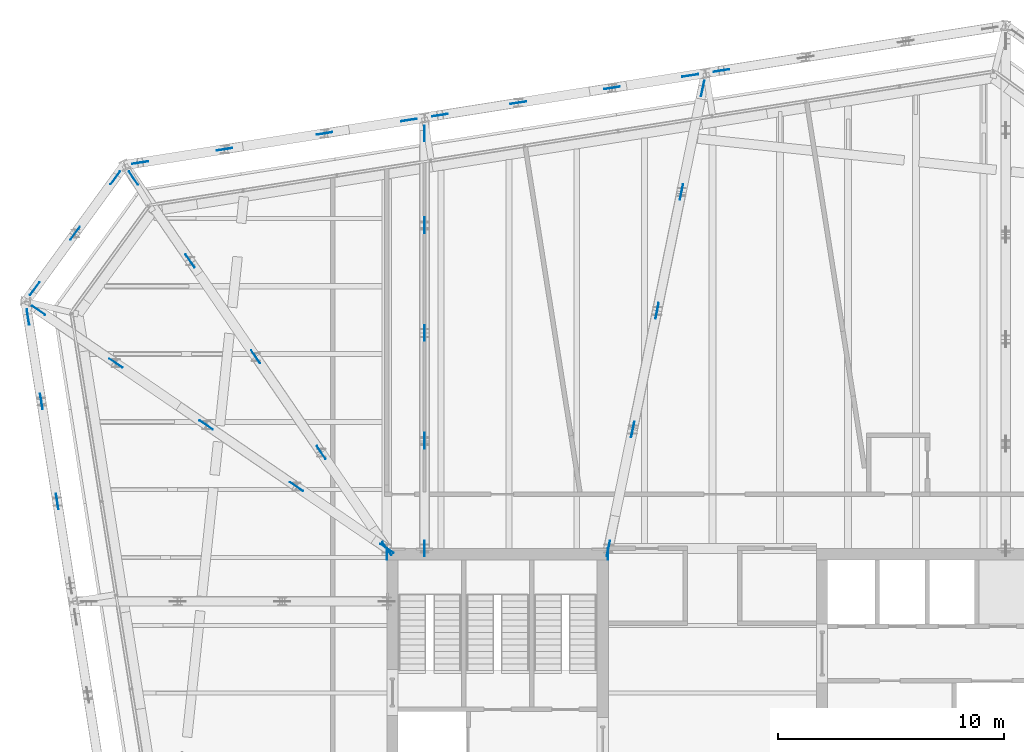
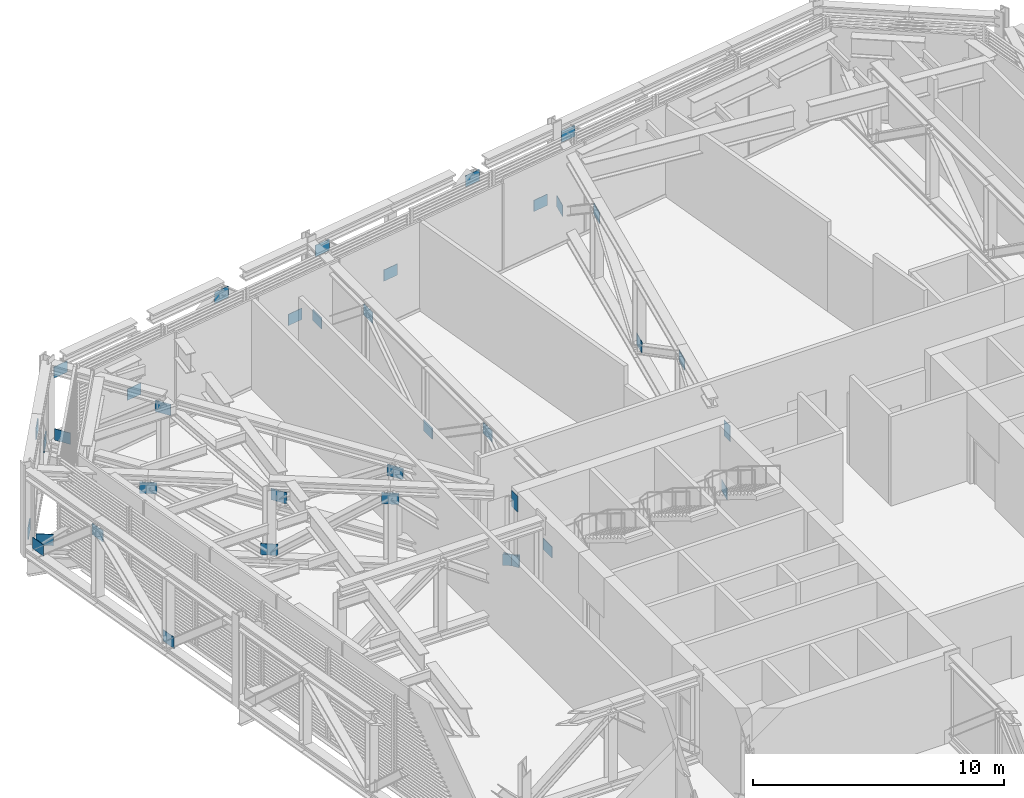
# One storey, part 29 of 32: 37 discrete accessories.
"""IFC4 building model written with IfcOpenShell, lengths in metres."""

from ifc_helpers import new_model, si_unit, direction, frame, origin, origin_2d, place, context, subcontext, project, spatial, rectangle, extrude, material, layer, layer_set, type_object, element, save


model = new_model("IFC4")

# Units and contexts
model_context = context("Model", 3, precision=1e-05, world=origin(), true_north=direction((0.0, 1.0)))
body_context = subcontext(model_context, "Body", "Model", "MODEL_VIEW")
ifc_project = project(units=[si_unit("LENGTHUNIT", "METRE"), si_unit("AREAUNIT", "SQUARE_METRE"), si_unit("VOLUMEUNIT", "CUBIC_METRE"), si_unit("PLANEANGLEUNIT", "RADIAN"), si_unit("MASSUNIT", "GRAM", prefix="KILO")], contexts=[model_context])

# Site, building, storey
site_placement = place(None, origin())
site = spatial("IfcSite", under=ifc_project, at=site_placement, CompositionType="ELEMENT")
building_placement = place(site_placement, origin())
building = spatial("IfcBuilding", under=site, at=building_placement, Name="Millrace Tower", CompositionType="ELEMENT")
storey_placement = place(building_placement, frame((0.0, 0.0, 266.89990234375)))
storey = spatial("IfcBuildingStorey", under=building, at=storey_placement, Name="L61", CompositionType="ELEMENT", Elevation=266.89990234375)

# Discrete accessories
ifc_material_1 = material(Name="Steel ASTM A572 Grade 50", Category="steel")
ifc_layer_1 = layer(ifc_material_1, 0.02490234375)
ifc_layer_set_1 = layer_set([ifc_layer_1], Name="Steel ASTM A572 Grade 50")
discrete_accessory_type_1 = type_object("IfcDiscreteAccessoryType", Name="Cast-in anchor plate 500x780x25", PredefinedType="ANCHORPLATE", material=ifc_layer_set_1)
for number, where, z_axis, x_axis, name in (
    (1, (-4.625, 9.14990234375, 3.76513671875), (1.0, 0.0, 0.0), (0.0, 1.0, 0.0), "Cast-in anchor plate BLT-L61-O11-V00"),
    (2, (-14.375, 9.14990234375, 3.76513671875), (-1.0, 0.0, 0.0), (0.0, -1.0, 0.0), "Cast-in anchor plate BLT-L61-O13-V00"),
):
    element("IfcDiscreteAccessory", number, at=place(storey_placement, frame(where, z_axis=z_axis, x_axis=x_axis)), inside=storey, type_object=discrete_accessory_type_1, Name=name, PredefinedType="ANCHORPLATE", context=body_context, shape_type="SweptSolid", body=[
        extrude(rectangle(XDim=0.5, YDim=0.780029296875, at=origin_2d()), origin(), (0.0, 0.0, 1.0), 0.02490234375),
    ])
ifc_material_2 = material(Name="Steel ASTM A572 Grade 50", Category="steel")
ifc_layer_2 = layer(ifc_material_2, 0.02490234375)
ifc_layer_set_2 = layer_set([ifc_layer_2], Name="Steel ASTM A572 Grade 50")
discrete_accessory_type_2 = type_object("IfcDiscreteAccessoryType", Name="Truss gusset plate 700x550x25", PredefinedType="BRACKET", material=ifc_layer_set_2)
discrete_accessory_1_placement = place(storey_placement, frame((0.057373046875, 30.482421875, 3.489990234375), z_axis=(0.987655240593, 0.156643307321, 0.0), x_axis=(-0.156643307321, 0.987655240593, 0.0)))
element("IfcDiscreteAccessory", 3, at=discrete_accessory_1_placement, inside=storey, type_object=discrete_accessory_type_2, Name="Truss gusset plate BLT-L61-R10-D03 head", PredefinedType="BRACKET", context=body_context, shape_type="SweptSolid", body=[
    extrude(rectangle(XDim=0.02490234375, YDim=0.550048828125, at=origin_2d()), origin(), (0.0, 0.0, 1.0), 0.69970703125),
])
for number, where, z_axis, x_axis, name in (
    (4, (-1.325439453125, 30.263427734375, 0.75), (0.987663796475, 0.156589351913, 0.0), (-0.156589351913, 0.987663796475, 0.0), "Truss gusset plate BLT-L61-R11-D01 foot"),
    (5, (-4.782470703125, 29.716064453125, 3.489990234375), (0.987717677878, 0.156249124184, 0.0), (-0.156249124184, 0.987717677878, 0.0), "Truss gusset plate BLT-L61-R11-D01 head"),
    (6, (-8.9306640625, 29.058837890625, 0.75), (0.987663796475, 0.156589351913, 0.0), (-0.156589351913, 0.987663796475, 0.0), "Truss gusset plate BLT-L61-R11-D02 foot"),
    (7, (-12.3876953125, 28.511474609375, 3.489990234375), (0.987717677878, 0.156249124184, 0.0), (-0.156249124184, 0.987717677878, 0.0), "Truss gusset plate BLT-L61-R11-D03 head"),
    (8, (-13.7705078125, 28.29248046875, 0.75), (0.987717677878, 0.156249124184, 0.0), (-0.156249124184, 0.987717677878, 0.0), "Truss gusset plate BLT-L61-R12-D01 foot"),
    (9, (-17.5, 27.70166015625, 3.489990234375), (0.987663796475, 0.156589351913, 0.0), (-0.156589351913, 0.987663796475, 0.0), "Truss gusset plate BLT-L61-R12-D01 head"),
    (10, (-21.921142578125, 27.00146484375, 0.75), (0.987663796475, 0.156589351913, 0.0), (-0.156589351913, 0.987663796475, 0.0), "Truss gusset plate BLT-L61-R12-D02 foot"),
    (11, (-25.650634765625, 26.410888671875, 3.489990234375), (0.987717677878, 0.156249124184, 0.0), (-0.156249124184, 0.987717677878, 0.0), "Truss gusset plate BLT-L61-R12-D03 head"),
    (12, (-26.613525390625, 25.506591796875, 0.75), (0.587819016355, 0.808992462271, 0.0), (-0.808992462271, 0.587819016355, 0.0), "Truss gusset plate BLT-L61-R13-D01 foot"),
    (13, (-28.39306640625, 23.05712890625, 3.489990234375), (0.587653156371, 0.809112951205, 0.0), (-0.809112951205, 0.587653156371, 0.0), "Truss gusset plate BLT-L61-R13-D01 head"),
    (14, (-30.172607421875, 20.60791015625, 0.75), (0.587819016355, 0.808992462271, 0.0), (-0.808992462271, 0.587819016355, 0.0), "Truss gusset plate BLT-L61-R13-D02 foot"),
    (15, (-30.32373046875, 19.97900390625, 0.75), (0.156589351913, -0.987663796475, 0.0), (0.987663796475, 0.156589351913, 0.0), "Truss gusset plate BLT-L61-R14-D01 foot"),
):
    element("IfcDiscreteAccessory", number, at=place(storey_placement, frame(where, z_axis=z_axis, x_axis=x_axis)), inside=storey, type_object=discrete_accessory_type_2, Name=name, PredefinedType="BRACKET", context=body_context, shape_type="SweptSolid", body=[
        extrude(rectangle(XDim=0.02490234375, YDim=0.550048828125, at=origin_2d()), origin(), (0.0, 0.0, 1.0), 0.699951171875),
    ])
discrete_accessory_2_placement = place(storey_placement, frame((-29.73291015625, 16.249267578125, 3.489990234375), z_axis=(0.156643307321, -0.987655240593, 0.0), x_axis=(0.987655240593, 0.156643307321, 0.0)))
element("IfcDiscreteAccessory", 16, at=discrete_accessory_2_placement, inside=storey, type_object=discrete_accessory_type_2, Name="Truss gusset plate BLT-L61-R14-D01 head", PredefinedType="BRACKET", context=body_context, shape_type="SweptSolid", body=[
    extrude(rectangle(XDim=0.02490234375, YDim=0.550048828125, at=origin_2d()), origin(), (0.0, 0.0, 1.0), 0.69970703125),
])
for number, where, z_axis, x_axis, name in (
    (17, (-29.03271484375, 11.828369140625, 0.75), (0.156589351913, -0.987663796475, 0.0), (0.987663796475, 0.156589351913, 0.0), "Truss gusset plate BLT-L61-R14-D02 foot"),
    (18, (-4.67041015625, 9.05712890625, 0.75), (0.200875494925, 0.979616779939, 0.0), (-0.979616779939, 0.200875494925, 0.0), "Truss gusset plate BLT-L61-O11-D01 foot"),
):
    element("IfcDiscreteAccessory", number, at=place(storey_placement, frame(where, z_axis=z_axis, x_axis=x_axis)), inside=storey, type_object=discrete_accessory_type_2, Name=name, PredefinedType="BRACKET", context=body_context, shape_type="SweptSolid", body=[
        extrude(rectangle(XDim=0.02490234375, YDim=0.550048828125, at=origin_2d()), origin(), (0.0, 0.0, 1.0), 0.699951171875),
    ])
for number, where, z_axis, x_axis, name in (
    (19, (-3.59228515625, 14.314208984375, 3.489990234375), (0.20060933369, 0.979671320003, 0.0), (-0.979671320003, 0.20060933369, 0.0), "Truss gusset plate BLT-L61-O11-D01 head"),
    (20, (-2.514404296875, 19.571044921875, 0.75), (0.200944143721, 0.979602700641, 0.0), (-0.979602700641, 0.200944143721, 0.0), "Truss gusset plate BLT-L61-O11-D02 foot"),
):
    element("IfcDiscreteAccessory", number, at=place(storey_placement, frame(where, z_axis=z_axis, x_axis=x_axis)), inside=storey, type_object=discrete_accessory_type_2, Name=name, PredefinedType="BRACKET", context=body_context, shape_type="SweptSolid", body=[
        extrude(rectangle(XDim=0.02490234375, YDim=0.550048828125, at=origin_2d()), origin(), (0.0, 0.0, 1.0), 0.69970703125),
    ])
for number, where, z_axis, x_axis, name in (
    (21, (-1.4365234375, 24.827880859375, 3.489990234375), (0.200875494925, 0.979616779939, 0.0), (-0.979616779939, 0.200875494925, 0.0), "Truss gusset plate BLT-L61-O11-D03 head"),
    (22, (-0.499267578125, 29.399169921875, 0.75), (0.200875494925, 0.979616779939, 0.0), (-0.979616779939, 0.200875494925, 0.0), "Truss gusset plate BLT-L61-O11-D04 foot"),
    (23, (-12.7333984375, 9.050048828125, 0.75), (0.0, 1.0, 0.0), (-1.0, 0.0, 0.0), "Truss gusset plate BLT-L61-O12-D01 foot"),
    (24, (-12.7333984375, 13.814208984375, 3.489990234375), (0.0, 1.0, 0.0), (-1.0, 0.0, 0.0), "Truss gusset plate BLT-L61-O12-D01 head"),
    (25, (-12.7333984375, 18.578369140625, 0.75), (0.0, 1.0, 0.0), (-1.0, 0.0, 0.0), "Truss gusset plate BLT-L61-O12-D02 foot"),
    (26, (-12.7333984375, 23.342529296875, 3.489990234375), (0.0, 1.0, 0.0), (-1.0, 0.0, 0.0), "Truss gusset plate BLT-L61-O12-D03 head"),
    (27, (-12.7333984375, 27.40673828125, 0.75), (0.0, 1.0, 0.0), (-1.0, 0.0, 0.0), "Truss gusset plate BLT-L61-O12-D04 foot"),
):
    element("IfcDiscreteAccessory", number, at=place(storey_placement, frame(where, z_axis=z_axis, x_axis=x_axis)), inside=storey, type_object=discrete_accessory_type_2, Name=name, PredefinedType="BRACKET", context=body_context, shape_type="SweptSolid", body=[
        extrude(rectangle(XDim=0.02490234375, YDim=0.550048828125, at=origin_2d()), origin(), (0.0, 0.0, 1.0), 0.699951171875),
    ])
discrete_accessory_3_placement = place(storey_placement, frame((-14.59765625, 9.68896484375, 0.75), z_axis=(0.564558900442, -0.825392784032, 0.0), x_axis=(0.825392784032, 0.564558900442, 0.0)))
element("IfcDiscreteAccessory", 28, at=discrete_accessory_3_placement, inside=storey, type_object=discrete_accessory_type_2, Name="Truss gusset plate BLT-L61-O13-D01 foot", PredefinedType="BRACKET", context=body_context, shape_type="SweptSolid", body=[
    extrude(rectangle(XDim=0.02490234375, YDim=0.550048828125, at=origin_2d()), origin(), (0.0, 0.0, 1.0), 0.7001953125),
])
discrete_accessory_4_placement = place(storey_placement, frame((-17.49658203125, 13.927978515625, 3.489990234375), z_axis=(0.564321264576, -0.82555527395, 0.0), x_axis=(0.82555527395, 0.564321264576, 0.0)))
element("IfcDiscreteAccessory", 29, at=discrete_accessory_4_placement, inside=storey, type_object=discrete_accessory_type_2, Name="Truss gusset plate BLT-L61-O13-D01 head", PredefinedType="BRACKET", context=body_context, shape_type="SweptSolid", body=[
    extrude(rectangle(XDim=0.02490234375, YDim=0.550048828125, at=origin_2d()), origin(), (0.0, 0.0, 1.0), 0.699951171875),
])
for number, where, z_axis, x_axis, name in (
    (30, (-20.395751953125, 18.1669921875, 0.75), (0.564558900442, -0.825392784032, 0.0), (0.825392784032, 0.564558900442, 0.0), "Truss gusset plate BLT-L61-O13-D02 foot"),
    (31, (-23.294921875, 22.406005859375, 3.489990234375), (0.564558900442, -0.825392784032, 0.0), (0.825392784032, 0.564558900442, 0.0), "Truss gusset plate BLT-L61-O13-D03 head"),
):
    element("IfcDiscreteAccessory", number, at=place(storey_placement, frame(where, z_axis=z_axis, x_axis=x_axis)), inside=storey, type_object=discrete_accessory_type_2, Name=name, PredefinedType="BRACKET", context=body_context, shape_type="SweptSolid", body=[
        extrude(rectangle(XDim=0.02490234375, YDim=0.550048828125, at=origin_2d()), origin(), (0.0, 0.0, 1.0), 0.7001953125),
    ])
for number, where, z_axis, x_axis, name in (
    (32, (-25.798828125, 26.067138671875, 0.75), (0.564321264576, -0.82555527395, 0.0), (0.82555527395, 0.564321264576, 0.0), "Truss gusset plate BLT-L61-O13-D04 foot"),
    (33, (-14.68896484375, 9.597412109375, 0.75), (0.82555527395, -0.564321264576, 0.0), (0.564321264576, 0.82555527395, 0.0), "Truss gusset plate BLT-L61-O14-D01 foot"),
    (34, (-18.68359375, 12.32861328125, 3.489990234375), (0.82555527395, -0.564321264576, 0.0), (0.564321264576, 0.82555527395, 0.0), "Truss gusset plate BLT-L61-O14-D01 head"),
):
    element("IfcDiscreteAccessory", number, at=place(storey_placement, frame(where, z_axis=z_axis, x_axis=x_axis)), inside=storey, type_object=discrete_accessory_type_2, Name=name, PredefinedType="BRACKET", context=body_context, shape_type="SweptSolid", body=[
        extrude(rectangle(XDim=0.02490234375, YDim=0.550048828125, at=origin_2d()), origin(), (0.0, 0.0, 1.0), 0.699951171875),
    ])
for number, where, z_axis, x_axis, name in (
    (35, (-22.677978515625, 15.059814453125, 0.75), (0.82544415495, -0.564483788127, 0.0), (0.564483788127, 0.82544415495, 0.0), "Truss gusset plate BLT-L61-O14-D02 foot"),
    (36, (-26.672607421875, 17.791015625, 3.489990234375), (0.82544415495, -0.564483788127, 0.0), (0.564483788127, 0.82544415495, 0.0), "Truss gusset plate BLT-L61-O14-D03 head"),
):
    element("IfcDiscreteAccessory", number, at=place(storey_placement, frame(where, z_axis=z_axis, x_axis=x_axis)), inside=storey, type_object=discrete_accessory_type_2, Name=name, PredefinedType="BRACKET", context=body_context, shape_type="SweptSolid", body=[
        extrude(rectangle(XDim=0.02490234375, YDim=0.550048828125, at=origin_2d()), origin(), (0.0, 0.0, 1.0), 0.69970703125),
    ])
discrete_accessory_5_placement = place(storey_placement, frame((-30.089599609375, 20.127197265625, 0.75), z_axis=(0.82555527395, -0.564321264576, 0.0), x_axis=(0.564321264576, 0.82555527395, 0.0)))
element("IfcDiscreteAccessory", 37, at=discrete_accessory_5_placement, inside=storey, type_object=discrete_accessory_type_2, Name="Truss gusset plate BLT-L61-O14-D04 foot", PredefinedType="BRACKET", context=body_context, shape_type="SweptSolid", body=[
    extrude(rectangle(XDim=0.02490234375, YDim=0.550048828125, at=origin_2d()), origin(), (0.0, 0.0, 1.0), 0.699951171875),
])

save(model, "model.ifc")
